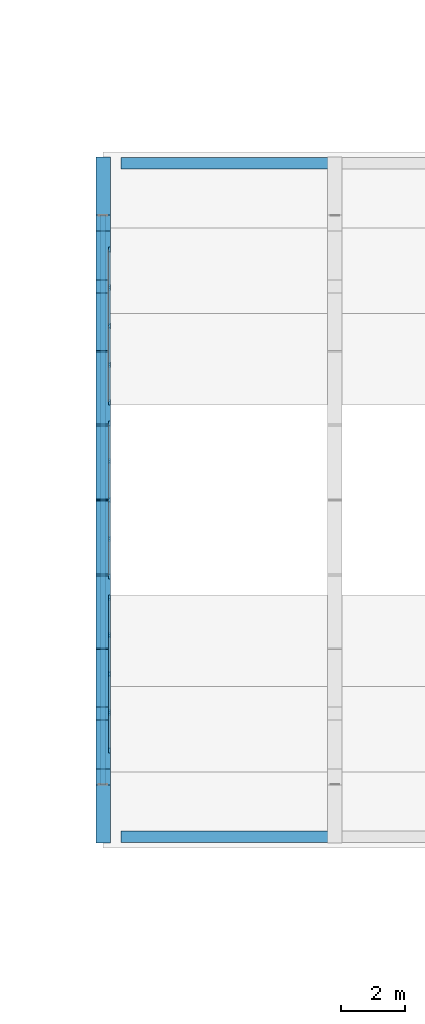
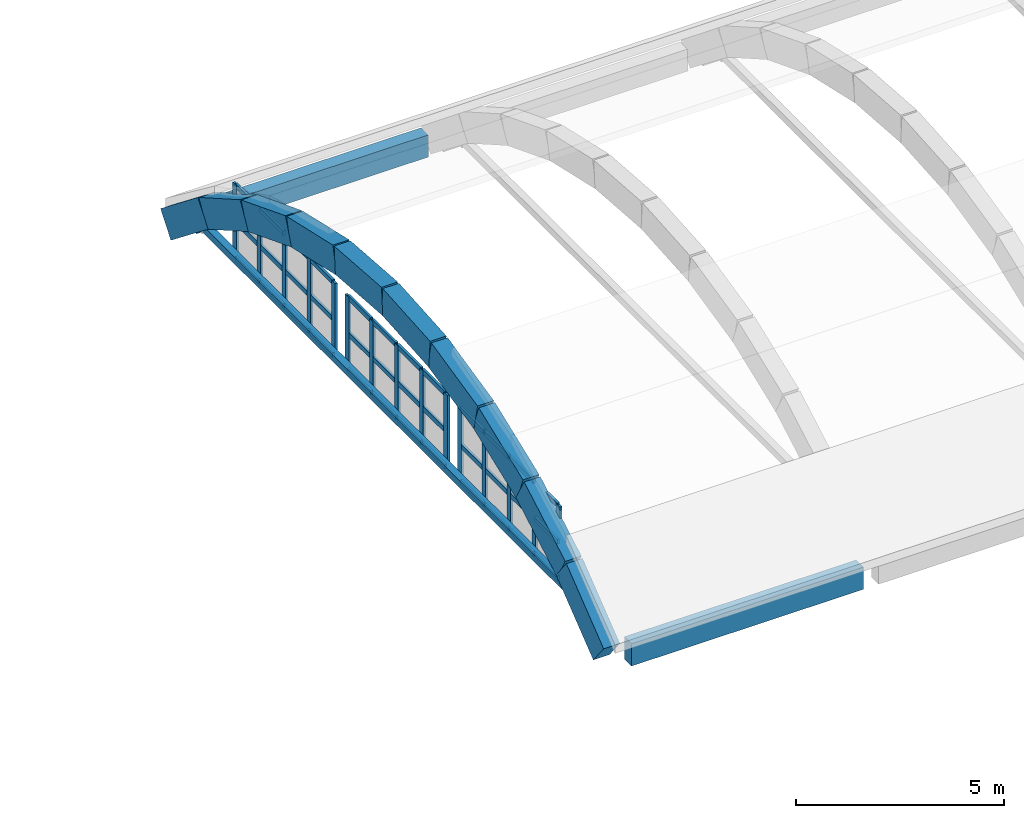
# One storey, part 12 of 73: 52 members, 12 beams, 3 elements without a shape of their own.
"""IFC4 building model written with IfcOpenShell, lengths in metres."""

from ifc_helpers import new_model, si_unit, derived_unit, direction, frame, origin, origin_2d, place, context, subcontext, project, spatial, rectangle, hollow_rectangle, extrude, material, layer, layer_set, material_profile, profile_set, type_object, element, aggregate, save


model = new_model("IFC4")

# Units and contexts
model_context = context("Model", 3, precision=1e-05, world=origin(), true_north=direction((0.0, 1.0)))
body_context = subcontext(model_context, "Body", "Model", "MODEL_VIEW")
ifc_project = project(units=[si_unit("LENGTHUNIT", "METRE"), si_unit("AREAUNIT", "SQUARE_METRE"), si_unit("VOLUMEUNIT", "CUBIC_METRE"), si_unit("PLANEANGLEUNIT", "RADIAN"), si_unit("MASSUNIT", "GRAM", prefix="KILO"), derived_unit("THERMALTRANSMITTANCEUNIT", [(si_unit("MASSUNIT", "GRAM", prefix="KILO"), 1), (si_unit("TIMEUNIT", "SECOND"), -3), (si_unit("THERMODYNAMICTEMPERATUREUNIT", "KELVIN"), -1)])], contexts=[model_context])

# Site, building, storey
site_placement = place(None, origin())
site = spatial("IfcSite", under=ifc_project, at=site_placement, CompositionType="ELEMENT")
building_placement = place(site_placement, origin())
building = spatial("IfcBuilding", under=site, at=building_placement, Name="Ochrekiln Boulevard Commons", CompositionType="ELEMENT")
storey_placement = place(building_placement, frame((0.0, 0.0, 8.574951171875)))
storey = spatial("IfcBuildingStorey", under=building, at=storey_placement, Name="L02", CompositionType="ELEMENT", Elevation=8.574951171875)

# Beams
ifc_material_1 = material(Name="Concrete C40/50", Category="concrete")
ifc_material_profile_1 = material_profile(ifc_material_1, rectangle(XDim=0.449951171875, YDim=0.800048828125, at=origin_2d()), Name="RC-RIB-450x800")
ifc_profile_set_1 = profile_set([ifc_material_profile_1], Name="Concrete C40/50")
beam_type_1 = type_object("IfcBeamType", Name="BM-RIB-450x800", PredefinedType="BEAM", material=ifc_profile_set_1)
beam_1_placement = place(storey_placement, frame((57.60009765625, 36.405517578125, -0.4423828125), z_axis=(0.0, 0.785288184657, 0.61913041198), x_axis=(-1.0, 0.0, 0.0)))
element("IfcBeam", 1, at=beam_1_placement, inside=storey, type_object=beam_type_1, Name="Community Hall Barrel Vault Arch Rib 1 Chord 1", PredefinedType="BEAM", context=body_context, shape_type="SweptSolid", body=[
    extrude(rectangle(XDim=0.449951171875, YDim=0.800048828125, at=origin_2d()), origin(), (0.0, 0.0, 1.0), 2.280517578125),
])
beam_2_placement = place(storey_placement, frame((57.60009765625, 38.1962890625, 0.969482421875), z_axis=(0.0, 0.868183838811, 0.496242704759), x_axis=(-1.0, 0.0, 0.0)))
element("IfcBeam", 2, at=beam_2_placement, inside=storey, type_object=beam_type_1, Name="Community Hall Barrel Vault Arch Rib 1 Chord 2", PredefinedType="BEAM", context=body_context, shape_type="SweptSolid", body=[
    extrude(rectangle(XDim=0.449951171875, YDim=0.800048828125, at=origin_2d()), origin(), (0.0, 0.0, 1.0), 2.2802734375),
])
for number, where, z_axis, x_axis, name in (
    (3, (57.60009765625, 40.176025390625, 2.10107421875), (0.0, 0.93199261694, 0.362477257174), (-1.0, 0.0, 0.0), "Community Hall Barrel Vault Arch Rib 1 Chord 3"),
    (4, (57.60009765625, 42.301513671875, 2.927734375), (0.0, 0.975333305686, 0.220737271027), (-1.0, 0.0, 0.0), "Community Hall Barrel Vault Arch Rib 1 Chord 4"),
    (5, (57.60009765625, 44.52587890625, 3.43115234375), (0.0, 0.997251957722, 0.074084632823), (-1.0, 0.0, 0.0), "Community Hall Barrel Vault Arch Rib 1 Chord 5"),
    (6, (57.60009765625, 46.800048828125, 3.60009765625), (0.0, 0.997251957722, -0.074084632823), (-1.0, 0.0, 0.0), "Community Hall Barrel Vault Arch Rib 1 Chord 6"),
    (7, (57.60009765625, 49.07421875, 3.43115234375), (0.0, 0.975333305686, -0.220737271027), (-1.0, 0.0, 0.0), "Community Hall Barrel Vault Arch Rib 1 Chord 7"),
):
    element("IfcBeam", number, at=place(storey_placement, frame(where, z_axis=z_axis, x_axis=x_axis)), inside=storey, type_object=beam_type_1, Name=name, PredefinedType="BEAM", context=body_context, shape_type="SweptSolid", body=[
        extrude(rectangle(XDim=0.449951171875, YDim=0.800048828125, at=origin_2d()), origin(), (0.0, 0.0, 1.0), 2.280517578125),
    ])
beam_3_placement = place(storey_placement, frame((57.60009765625, 51.298583984375, 2.927734375), z_axis=(0.0, 0.93197854933, -0.362513425391), x_axis=(-1.0, 0.0, 0.0)))
element("IfcBeam", 8, at=beam_3_placement, inside=storey, type_object=beam_type_1, Name="Community Hall Barrel Vault Arch Rib 1 Chord 8", PredefinedType="BEAM", context=body_context, shape_type="SweptSolid", body=[
    extrude(rectangle(XDim=0.449951171875, YDim=0.800048828125, at=origin_2d()), origin(), (0.0, 0.0, 1.0), 2.2802734375),
])
for number, where, z_axis, x_axis, name in (
    (9, (57.60009765625, 53.423828125, 2.10107421875), (0.0, 0.868210200433, -0.496196581875), (-1.0, 0.0, 0.0), "Community Hall Barrel Vault Arch Rib 1 Chord 9"),
    (10, (57.60009765625, 55.40380859375, 0.969482421875), (0.0, 0.785288184657, -0.61913041198), (-1.0, 0.0, 0.0), "Community Hall Barrel Vault Arch Rib 1 Chord 10"),
):
    element("IfcBeam", number, at=place(storey_placement, frame(where, z_axis=z_axis, x_axis=x_axis)), inside=storey, type_object=beam_type_1, Name=name, PredefinedType="BEAM", context=body_context, shape_type="SweptSolid", body=[
        extrude(rectangle(XDim=0.449951171875, YDim=0.800048828125, at=origin_2d()), origin(), (0.0, 0.0, 1.0), 2.280517578125),
    ])

# Curtain wall, members
ifc_material_2 = material(Name="Bronze-anodized extruded aluminium 6063-T6", Category="aluminium")
ifc_layer = layer(ifc_material_2, 0.196044921875)
ifc_layer_set = layer_set([ifc_layer], Name="Bronze-anodized extruded aluminium 6063-T6")
curtain_wall_type = type_object("IfcCurtainWallType", Name="CW-HALL", PredefinedType="USERDEFINED", material=ifc_layer_set)
curtain_wall_1_placement = place(storey_placement, origin())
curtain_wall_1 = element("IfcCurtainWall", 11, at=curtain_wall_1_placement, inside=storey, type_object=curtain_wall_type, Name="Community Hall Vault Tympanum Curtain Wall W-1", ObjectType="GLAZED CURTAIN WALL", PredefinedType="USERDEFINED")
ifc_material_profile_2 = material_profile(ifc_material_2, rectangle(XDim=0.06494140625, YDim=0.179931640625, at=origin_2d()), Name="ALU-MUL-65x180")
ifc_profile_set_2 = profile_set([ifc_material_profile_2], Name="Bronze-anodized extruded aluminium 6063-T6")
member_type_1 = type_object("IfcMemberType", Name="CWM-65x180", PredefinedType="MULLION", material=ifc_profile_set_2)
member_1_placement = place(storey_placement, frame((57.800048828125, 39.032470703125, 0.0), z_axis=(0.0, 0.0, 1.0), x_axis=(-1.0, 0.0, 0.0)))
member_1 = element("IfcMember", 12, at=member_1_placement, type_object=member_type_1, Name="CW-03 mullion 1", PredefinedType="MULLION", context=body_context, shape_type="SweptSolid", body=[
    extrude(rectangle(XDim=0.06494140625, YDim=0.179931640625, at=origin_2d()), origin(), (0.0, 0.0, 1.0), 2.199951171875),
])
member_2_placement = place(storey_placement, frame((57.800048828125, 40.199951171875, 0.0), z_axis=(0.0, 0.0, 1.0), x_axis=(-1.0, 0.0, 0.0)))
member_2 = element("IfcMember", 13, at=member_2_placement, type_object=member_type_1, Name="CW-03 mullion 2", PredefinedType="MULLION", context=body_context, shape_type="SweptSolid", body=[
    extrude(rectangle(XDim=0.06494140625, YDim=0.179931640625, at=origin_2d()), origin(), (0.0, 0.0, 1.0), 2.199951171875),
])
member_3_placement = place(storey_placement, frame((57.800048828125, 41.39990234375, 0.0), z_axis=(0.0, 0.0, 1.0), x_axis=(-1.0, 0.0, 0.0)))
member_3 = element("IfcMember", 14, at=member_3_placement, type_object=member_type_1, Name="CW-03 mullion 3", PredefinedType="MULLION", context=body_context, shape_type="SweptSolid", body=[
    extrude(rectangle(XDim=0.06494140625, YDim=0.179931640625, at=origin_2d()), origin(), (0.0, 0.0, 1.0), 2.199951171875),
])
member_4_placement = place(storey_placement, frame((57.800048828125, 42.60009765625, 0.0), z_axis=(0.0, 0.0, 1.0), x_axis=(-1.0, 0.0, 0.0)))
member_4 = element("IfcMember", 15, at=member_4_placement, type_object=member_type_1, Name="CW-03 mullion 4", PredefinedType="MULLION", context=body_context, shape_type="SweptSolid", body=[
    extrude(rectangle(XDim=0.06494140625, YDim=0.179931640625, at=origin_2d()), origin(), (0.0, 0.0, 1.0), 2.199951171875),
])
member_5_placement = place(storey_placement, frame((57.800048828125, 43.767578125, 0.0), z_axis=(0.0, 0.0, 1.0), x_axis=(-1.0, 0.0, 0.0)))
member_5 = element("IfcMember", 16, at=member_5_placement, type_object=member_type_1, Name="CW-03 mullion 5", PredefinedType="MULLION", context=body_context, shape_type="SweptSolid", body=[
    extrude(rectangle(XDim=0.06494140625, YDim=0.179931640625, at=origin_2d()), origin(), (0.0, 0.0, 1.0), 2.199951171875),
])

curtain_wall_2_placement = place(storey_placement, origin())
curtain_wall_2 = element("IfcCurtainWall", 17, at=curtain_wall_2_placement, inside=storey, type_object=curtain_wall_type, Name="Community Hall Vault Tympanum Curtain Wall W-2", ObjectType="GLAZED CURTAIN WALL", PredefinedType="USERDEFINED")
member_6_placement = place(storey_placement, frame((57.800048828125, 44.4326171875, 0.0), z_axis=(0.0, 0.0, 1.0), x_axis=(-1.0, 0.0, 0.0)))
member_6 = element("IfcMember", 18, at=member_6_placement, type_object=member_type_1, Name="CW-03 mullion 1", PredefinedType="MULLION", context=body_context, shape_type="SweptSolid", body=[
    extrude(rectangle(XDim=0.06494140625, YDim=0.179931640625, at=origin_2d()), origin(), (0.0, 0.0, 1.0), 2.199951171875),
])
member_7_placement = place(storey_placement, frame((57.800048828125, 45.60009765625, 0.0), z_axis=(0.0, 0.0, 1.0), x_axis=(-1.0, 0.0, 0.0)))
member_7 = element("IfcMember", 19, at=member_7_placement, type_object=member_type_1, Name="CW-03 mullion 2", PredefinedType="MULLION", context=body_context, shape_type="SweptSolid", body=[
    extrude(rectangle(XDim=0.06494140625, YDim=0.179931640625, at=origin_2d()), origin(), (0.0, 0.0, 1.0), 2.199951171875),
])
member_8_placement = place(storey_placement, frame((57.800048828125, 46.800048828125, 0.0), z_axis=(0.0, 0.0, 1.0), x_axis=(-1.0, 0.0, 0.0)))
member_8 = element("IfcMember", 20, at=member_8_placement, type_object=member_type_1, Name="CW-03 mullion 3", PredefinedType="MULLION", context=body_context, shape_type="SweptSolid", body=[
    extrude(rectangle(XDim=0.06494140625, YDim=0.179931640625, at=origin_2d()), origin(), (0.0, 0.0, 1.0), 2.199951171875),
])
member_9_placement = place(storey_placement, frame((57.800048828125, 48.0, 0.0), z_axis=(0.0, 0.0, 1.0), x_axis=(-1.0, 0.0, 0.0)))
member_9 = element("IfcMember", 21, at=member_9_placement, type_object=member_type_1, Name="CW-03 mullion 4", PredefinedType="MULLION", context=body_context, shape_type="SweptSolid", body=[
    extrude(rectangle(XDim=0.06494140625, YDim=0.179931640625, at=origin_2d()), origin(), (0.0, 0.0, 1.0), 2.199951171875),
])
member_10_placement = place(storey_placement, frame((57.800048828125, 49.16748046875, 0.0), z_axis=(0.0, 0.0, 1.0), x_axis=(-1.0, 0.0, 0.0)))
member_10 = element("IfcMember", 22, at=member_10_placement, type_object=member_type_1, Name="CW-03 mullion 5", PredefinedType="MULLION", context=body_context, shape_type="SweptSolid", body=[
    extrude(rectangle(XDim=0.06494140625, YDim=0.179931640625, at=origin_2d()), origin(), (0.0, 0.0, 1.0), 2.199951171875),
])

curtain_wall_3_placement = place(storey_placement, origin())
curtain_wall_3 = element("IfcCurtainWall", 23, at=curtain_wall_3_placement, inside=storey, type_object=curtain_wall_type, Name="Community Hall Vault Tympanum Curtain Wall W-3", ObjectType="GLAZED CURTAIN WALL", PredefinedType="USERDEFINED")
member_11_placement = place(storey_placement, frame((57.800048828125, 49.83251953125, 0.0), z_axis=(0.0, 0.0, 1.0), x_axis=(-1.0, 0.0, 0.0)))
member_11 = element("IfcMember", 24, at=member_11_placement, type_object=member_type_1, Name="CW-03 mullion 1", PredefinedType="MULLION", context=body_context, shape_type="SweptSolid", body=[
    extrude(rectangle(XDim=0.06494140625, YDim=0.179931640625, at=origin_2d()), origin(), (0.0, 0.0, 1.0), 2.199951171875),
])
member_12_placement = place(storey_placement, frame((57.800048828125, 51.0, 0.0), z_axis=(0.0, 0.0, 1.0), x_axis=(-1.0, 0.0, 0.0)))
member_12 = element("IfcMember", 25, at=member_12_placement, type_object=member_type_1, Name="CW-03 mullion 2", PredefinedType="MULLION", context=body_context, shape_type="SweptSolid", body=[
    extrude(rectangle(XDim=0.06494140625, YDim=0.179931640625, at=origin_2d()), origin(), (0.0, 0.0, 1.0), 2.199951171875),
])
member_13_placement = place(storey_placement, frame((57.800048828125, 52.199951171875, 0.0), z_axis=(0.0, 0.0, 1.0), x_axis=(-1.0, 0.0, 0.0)))
member_13 = element("IfcMember", 26, at=member_13_placement, type_object=member_type_1, Name="CW-03 mullion 3", PredefinedType="MULLION", context=body_context, shape_type="SweptSolid", body=[
    extrude(rectangle(XDim=0.06494140625, YDim=0.179931640625, at=origin_2d()), origin(), (0.0, 0.0, 1.0), 2.199951171875),
])
member_14_placement = place(storey_placement, frame((57.800048828125, 53.39990234375, 0.0), z_axis=(0.0, 0.0, 1.0), x_axis=(-1.0, 0.0, 0.0)))
member_14 = element("IfcMember", 27, at=member_14_placement, type_object=member_type_1, Name="CW-03 mullion 4", PredefinedType="MULLION", context=body_context, shape_type="SweptSolid", body=[
    extrude(rectangle(XDim=0.06494140625, YDim=0.179931640625, at=origin_2d()), origin(), (0.0, 0.0, 1.0), 2.199951171875),
])
member_15_placement = place(storey_placement, frame((57.800048828125, 54.5673828125, 0.0), z_axis=(0.0, 0.0, 1.0), x_axis=(-1.0, 0.0, 0.0)))
member_15 = element("IfcMember", 28, at=member_15_placement, type_object=member_type_1, Name="CW-03 mullion 5", PredefinedType="MULLION", context=body_context, shape_type="SweptSolid", body=[
    extrude(rectangle(XDim=0.06494140625, YDim=0.179931640625, at=origin_2d()), origin(), (0.0, 0.0, 1.0), 2.199951171875),
])

# Member
ifc_material_profile_3 = material_profile(ifc_material_2, rectangle(XDim=0.06494140625, YDim=0.139892578125, at=origin_2d()), Name="ALU-TRN-65x140")
ifc_profile_set_3 = profile_set([ifc_material_profile_3], Name="Bronze-anodized extruded aluminium 6063-T6")
member_type_2 = type_object("IfcMemberType", Name="CWT-65x140", PredefinedType="USERDEFINED", material=ifc_profile_set_3)
member_16_placement = place(storey_placement, frame((57.800048828125, 39.06494140625, 0.032470703125), z_axis=(0.0, 1.0, 0.0), x_axis=(-1.0, 0.0, 0.0)))
member_16 = element("IfcMember", 29, at=member_16_placement, type_object=member_type_2, Name="CW-03 transom 1.1", ObjectType="TRANSOM", PredefinedType="USERDEFINED", context=body_context, shape_type="SweptSolid", body=[
    extrude(rectangle(XDim=0.06494140625, YDim=0.139892578125, at=origin_2d()), origin(), (0.0, 0.0, 1.0), 1.1025390625),
])

member_17_placement = place(storey_placement, frame((57.800048828125, 39.06494140625, 1.10009765625), z_axis=(0.0, 1.0, 0.0), x_axis=(-1.0, 0.0, 0.0)))
member_17 = element("IfcMember", 30, at=member_17_placement, type_object=member_type_2, Name="CW-03 transom 1.2", ObjectType="TRANSOM", PredefinedType="USERDEFINED", context=body_context, shape_type="SweptSolid", body=[
    extrude(rectangle(XDim=0.06494140625, YDim=0.139892578125, at=origin_2d()), origin(), (0.0, 0.0, 1.0), 1.1025390625),
])

member_18_placement = place(storey_placement, frame((57.800048828125, 39.06494140625, 2.16748046875), z_axis=(0.0, 1.0, 0.0), x_axis=(-1.0, 0.0, 0.0)))
member_18 = element("IfcMember", 31, at=member_18_placement, type_object=member_type_2, Name="CW-03 transom 1.3", ObjectType="TRANSOM", PredefinedType="USERDEFINED", context=body_context, shape_type="SweptSolid", body=[
    extrude(rectangle(XDim=0.06494140625, YDim=0.139892578125, at=origin_2d()), origin(), (0.0, 0.0, 1.0), 1.1025390625),
])

member_19_placement = place(storey_placement, frame((57.800048828125, 40.232421875, 0.032470703125), z_axis=(0.0, 1.0, 0.0), x_axis=(-1.0, 0.0, 0.0)))
member_19 = element("IfcMember", 32, at=member_19_placement, type_object=member_type_2, Name="CW-03 transom 2.1", ObjectType="TRANSOM", PredefinedType="USERDEFINED", context=body_context, shape_type="SweptSolid", body=[
    extrude(rectangle(XDim=0.06494140625, YDim=0.139892578125, at=origin_2d()), origin(), (0.0, 0.0, 1.0), 1.135009765625),
])

member_20_placement = place(storey_placement, frame((57.800048828125, 40.232421875, 1.10009765625), z_axis=(0.0, 1.0, 0.0), x_axis=(-1.0, 0.0, 0.0)))
member_20 = element("IfcMember", 33, at=member_20_placement, type_object=member_type_2, Name="CW-03 transom 2.2", ObjectType="TRANSOM", PredefinedType="USERDEFINED", context=body_context, shape_type="SweptSolid", body=[
    extrude(rectangle(XDim=0.06494140625, YDim=0.139892578125, at=origin_2d()), origin(), (0.0, 0.0, 1.0), 1.135009765625),
])

member_21_placement = place(storey_placement, frame((57.800048828125, 40.232421875, 2.16748046875), z_axis=(0.0, 1.0, 0.0), x_axis=(-1.0, 0.0, 0.0)))
member_21 = element("IfcMember", 34, at=member_21_placement, type_object=member_type_2, Name="CW-03 transom 2.3", ObjectType="TRANSOM", PredefinedType="USERDEFINED", context=body_context, shape_type="SweptSolid", body=[
    extrude(rectangle(XDim=0.06494140625, YDim=0.139892578125, at=origin_2d()), origin(), (0.0, 0.0, 1.0), 1.135009765625),
])

member_22_placement = place(storey_placement, frame((57.800048828125, 41.4326171875, 0.032470703125), z_axis=(0.0, 1.0, 0.0), x_axis=(-1.0, 0.0, 0.0)))
member_22 = element("IfcMember", 35, at=member_22_placement, type_object=member_type_2, Name="CW-03 transom 3.1", ObjectType="TRANSOM", PredefinedType="USERDEFINED", context=body_context, shape_type="SweptSolid", body=[
    extrude(rectangle(XDim=0.06494140625, YDim=0.139892578125, at=origin_2d()), origin(), (0.0, 0.0, 1.0), 1.134765625),
])

member_23_placement = place(storey_placement, frame((57.800048828125, 41.4326171875, 1.10009765625), z_axis=(0.0, 1.0, 0.0), x_axis=(-1.0, 0.0, 0.0)))
member_23 = element("IfcMember", 36, at=member_23_placement, type_object=member_type_2, Name="CW-03 transom 3.2", ObjectType="TRANSOM", PredefinedType="USERDEFINED", context=body_context, shape_type="SweptSolid", body=[
    extrude(rectangle(XDim=0.06494140625, YDim=0.139892578125, at=origin_2d()), origin(), (0.0, 0.0, 1.0), 1.134765625),
])

member_24_placement = place(storey_placement, frame((57.800048828125, 41.4326171875, 2.16748046875), z_axis=(0.0, 1.0, 0.0), x_axis=(-1.0, 0.0, 0.0)))
member_24 = element("IfcMember", 37, at=member_24_placement, type_object=member_type_2, Name="CW-03 transom 3.3", ObjectType="TRANSOM", PredefinedType="USERDEFINED", context=body_context, shape_type="SweptSolid", body=[
    extrude(rectangle(XDim=0.06494140625, YDim=0.139892578125, at=origin_2d()), origin(), (0.0, 0.0, 1.0), 1.134765625),
])

member_25_placement = place(storey_placement, frame((57.800048828125, 42.632568359375, 0.032470703125), z_axis=(0.0, 1.0, 0.0), x_axis=(-1.0, 0.0, 0.0)))
member_25 = element("IfcMember", 38, at=member_25_placement, type_object=member_type_2, Name="CW-03 transom 4.1", ObjectType="TRANSOM", PredefinedType="USERDEFINED", context=body_context, shape_type="SweptSolid", body=[
    extrude(rectangle(XDim=0.06494140625, YDim=0.139892578125, at=origin_2d()), origin(), (0.0, 0.0, 1.0), 1.1025390625),
])

member_26_placement = place(storey_placement, frame((57.800048828125, 42.632568359375, 1.10009765625), z_axis=(0.0, 1.0, 0.0), x_axis=(-1.0, 0.0, 0.0)))
member_26 = element("IfcMember", 39, at=member_26_placement, type_object=member_type_2, Name="CW-03 transom 4.2", ObjectType="TRANSOM", PredefinedType="USERDEFINED", context=body_context, shape_type="SweptSolid", body=[
    extrude(rectangle(XDim=0.06494140625, YDim=0.139892578125, at=origin_2d()), origin(), (0.0, 0.0, 1.0), 1.1025390625),
])

member_27_placement = place(storey_placement, frame((57.800048828125, 42.632568359375, 2.16748046875), z_axis=(0.0, 1.0, 0.0), x_axis=(-1.0, 0.0, 0.0)))
member_27 = element("IfcMember", 40, at=member_27_placement, type_object=member_type_2, Name="CW-03 transom 4.3", ObjectType="TRANSOM", PredefinedType="USERDEFINED", context=body_context, shape_type="SweptSolid", body=[
    extrude(rectangle(XDim=0.06494140625, YDim=0.139892578125, at=origin_2d()), origin(), (0.0, 0.0, 1.0), 1.1025390625),
])

aggregate(curtain_wall_1, [member_1, member_2, member_3, member_4, member_5, member_16, member_17, member_18, member_19, member_20, member_21, member_22, member_23, member_24, member_25, member_26, member_27])

member_28_placement = place(storey_placement, frame((57.800048828125, 44.465087890625, 0.032470703125), z_axis=(0.0, 1.0, 0.0), x_axis=(-1.0, 0.0, 0.0)))
member_28 = element("IfcMember", 41, at=member_28_placement, type_object=member_type_2, Name="CW-03 transom 1.1", ObjectType="TRANSOM", PredefinedType="USERDEFINED", context=body_context, shape_type="SweptSolid", body=[
    extrude(rectangle(XDim=0.06494140625, YDim=0.139892578125, at=origin_2d()), origin(), (0.0, 0.0, 1.0), 1.102294921875),
])

member_29_placement = place(storey_placement, frame((57.800048828125, 44.465087890625, 1.10009765625), z_axis=(0.0, 1.0, 0.0), x_axis=(-1.0, 0.0, 0.0)))
member_29 = element("IfcMember", 42, at=member_29_placement, type_object=member_type_2, Name="CW-03 transom 1.2", ObjectType="TRANSOM", PredefinedType="USERDEFINED", context=body_context, shape_type="SweptSolid", body=[
    extrude(rectangle(XDim=0.06494140625, YDim=0.139892578125, at=origin_2d()), origin(), (0.0, 0.0, 1.0), 1.102294921875),
])

member_30_placement = place(storey_placement, frame((57.800048828125, 44.465087890625, 2.16748046875), z_axis=(0.0, 1.0, 0.0), x_axis=(-1.0, 0.0, 0.0)))
member_30 = element("IfcMember", 43, at=member_30_placement, type_object=member_type_2, Name="CW-03 transom 1.3", ObjectType="TRANSOM", PredefinedType="USERDEFINED", context=body_context, shape_type="SweptSolid", body=[
    extrude(rectangle(XDim=0.06494140625, YDim=0.139892578125, at=origin_2d()), origin(), (0.0, 0.0, 1.0), 1.102294921875),
])

member_31_placement = place(storey_placement, frame((57.800048828125, 45.632568359375, 0.032470703125), z_axis=(0.0, 1.0, 0.0), x_axis=(-1.0, 0.0, 0.0)))
member_31 = element("IfcMember", 44, at=member_31_placement, type_object=member_type_2, Name="CW-03 transom 2.1", ObjectType="TRANSOM", PredefinedType="USERDEFINED", context=body_context, shape_type="SweptSolid", body=[
    extrude(rectangle(XDim=0.06494140625, YDim=0.139892578125, at=origin_2d()), origin(), (0.0, 0.0, 1.0), 1.135009765625),
])

member_32_placement = place(storey_placement, frame((57.800048828125, 45.632568359375, 1.10009765625), z_axis=(0.0, 1.0, 0.0), x_axis=(-1.0, 0.0, 0.0)))
member_32 = element("IfcMember", 45, at=member_32_placement, type_object=member_type_2, Name="CW-03 transom 2.2", ObjectType="TRANSOM", PredefinedType="USERDEFINED", context=body_context, shape_type="SweptSolid", body=[
    extrude(rectangle(XDim=0.06494140625, YDim=0.139892578125, at=origin_2d()), origin(), (0.0, 0.0, 1.0), 1.135009765625),
])

member_33_placement = place(storey_placement, frame((57.800048828125, 45.632568359375, 2.16748046875), z_axis=(0.0, 1.0, 0.0), x_axis=(-1.0, 0.0, 0.0)))
member_33 = element("IfcMember", 46, at=member_33_placement, type_object=member_type_2, Name="CW-03 transom 2.3", ObjectType="TRANSOM", PredefinedType="USERDEFINED", context=body_context, shape_type="SweptSolid", body=[
    extrude(rectangle(XDim=0.06494140625, YDim=0.139892578125, at=origin_2d()), origin(), (0.0, 0.0, 1.0), 1.135009765625),
])

member_34_placement = place(storey_placement, frame((57.800048828125, 46.83251953125, 0.032470703125), z_axis=(0.0, 1.0, 0.0), x_axis=(-1.0, 0.0, 0.0)))
member_34 = element("IfcMember", 47, at=member_34_placement, type_object=member_type_2, Name="CW-03 transom 3.1", ObjectType="TRANSOM", PredefinedType="USERDEFINED", context=body_context, shape_type="SweptSolid", body=[
    extrude(rectangle(XDim=0.06494140625, YDim=0.139892578125, at=origin_2d()), origin(), (0.0, 0.0, 1.0), 1.135009765625),
])

member_35_placement = place(storey_placement, frame((57.800048828125, 46.83251953125, 1.10009765625), z_axis=(0.0, 1.0, 0.0), x_axis=(-1.0, 0.0, 0.0)))
member_35 = element("IfcMember", 48, at=member_35_placement, type_object=member_type_2, Name="CW-03 transom 3.2", ObjectType="TRANSOM", PredefinedType="USERDEFINED", context=body_context, shape_type="SweptSolid", body=[
    extrude(rectangle(XDim=0.06494140625, YDim=0.139892578125, at=origin_2d()), origin(), (0.0, 0.0, 1.0), 1.135009765625),
])

member_36_placement = place(storey_placement, frame((57.800048828125, 46.83251953125, 2.16748046875), z_axis=(0.0, 1.0, 0.0), x_axis=(-1.0, 0.0, 0.0)))
member_36 = element("IfcMember", 49, at=member_36_placement, type_object=member_type_2, Name="CW-03 transom 3.3", ObjectType="TRANSOM", PredefinedType="USERDEFINED", context=body_context, shape_type="SweptSolid", body=[
    extrude(rectangle(XDim=0.06494140625, YDim=0.139892578125, at=origin_2d()), origin(), (0.0, 0.0, 1.0), 1.135009765625),
])

member_37_placement = place(storey_placement, frame((57.800048828125, 48.032470703125, 0.032470703125), z_axis=(0.0, 1.0, 0.0), x_axis=(-1.0, 0.0, 0.0)))
member_37 = element("IfcMember", 50, at=member_37_placement, type_object=member_type_2, Name="CW-03 transom 4.1", ObjectType="TRANSOM", PredefinedType="USERDEFINED", context=body_context, shape_type="SweptSolid", body=[
    extrude(rectangle(XDim=0.06494140625, YDim=0.139892578125, at=origin_2d()), origin(), (0.0, 0.0, 1.0), 1.1025390625),
])

member_38_placement = place(storey_placement, frame((57.800048828125, 48.032470703125, 1.10009765625), z_axis=(0.0, 1.0, 0.0), x_axis=(-1.0, 0.0, 0.0)))
member_38 = element("IfcMember", 51, at=member_38_placement, type_object=member_type_2, Name="CW-03 transom 4.2", ObjectType="TRANSOM", PredefinedType="USERDEFINED", context=body_context, shape_type="SweptSolid", body=[
    extrude(rectangle(XDim=0.06494140625, YDim=0.139892578125, at=origin_2d()), origin(), (0.0, 0.0, 1.0), 1.1025390625),
])

member_39_placement = place(storey_placement, frame((57.800048828125, 48.032470703125, 2.16748046875), z_axis=(0.0, 1.0, 0.0), x_axis=(-1.0, 0.0, 0.0)))
member_39 = element("IfcMember", 52, at=member_39_placement, type_object=member_type_2, Name="CW-03 transom 4.3", ObjectType="TRANSOM", PredefinedType="USERDEFINED", context=body_context, shape_type="SweptSolid", body=[
    extrude(rectangle(XDim=0.06494140625, YDim=0.139892578125, at=origin_2d()), origin(), (0.0, 0.0, 1.0), 1.1025390625),
])

aggregate(curtain_wall_2, [member_6, member_7, member_8, member_9, member_10, member_28, member_29, member_30, member_31, member_32, member_33, member_34, member_35, member_36, member_37, member_38, member_39])

member_40_placement = place(storey_placement, frame((57.800048828125, 49.864990234375, 0.032470703125), z_axis=(0.0, 1.0, 0.0), x_axis=(-1.0, 0.0, 0.0)))
member_40 = element("IfcMember", 53, at=member_40_placement, type_object=member_type_2, Name="CW-03 transom 1.1", ObjectType="TRANSOM", PredefinedType="USERDEFINED", context=body_context, shape_type="SweptSolid", body=[
    extrude(rectangle(XDim=0.06494140625, YDim=0.139892578125, at=origin_2d()), origin(), (0.0, 0.0, 1.0), 1.1025390625),
])

member_41_placement = place(storey_placement, frame((57.800048828125, 49.864990234375, 1.10009765625), z_axis=(0.0, 1.0, 0.0), x_axis=(-1.0, 0.0, 0.0)))
member_41 = element("IfcMember", 54, at=member_41_placement, type_object=member_type_2, Name="CW-03 transom 1.2", ObjectType="TRANSOM", PredefinedType="USERDEFINED", context=body_context, shape_type="SweptSolid", body=[
    extrude(rectangle(XDim=0.06494140625, YDim=0.139892578125, at=origin_2d()), origin(), (0.0, 0.0, 1.0), 1.1025390625),
])

member_42_placement = place(storey_placement, frame((57.800048828125, 49.864990234375, 2.16748046875), z_axis=(0.0, 1.0, 0.0), x_axis=(-1.0, 0.0, 0.0)))
member_42 = element("IfcMember", 55, at=member_42_placement, type_object=member_type_2, Name="CW-03 transom 1.3", ObjectType="TRANSOM", PredefinedType="USERDEFINED", context=body_context, shape_type="SweptSolid", body=[
    extrude(rectangle(XDim=0.06494140625, YDim=0.139892578125, at=origin_2d()), origin(), (0.0, 0.0, 1.0), 1.1025390625),
])

member_43_placement = place(storey_placement, frame((57.800048828125, 51.032470703125, 0.032470703125), z_axis=(0.0, 1.0, 0.0), x_axis=(-1.0, 0.0, 0.0)))
member_43 = element("IfcMember", 56, at=member_43_placement, type_object=member_type_2, Name="CW-03 transom 2.1", ObjectType="TRANSOM", PredefinedType="USERDEFINED", context=body_context, shape_type="SweptSolid", body=[
    extrude(rectangle(XDim=0.06494140625, YDim=0.139892578125, at=origin_2d()), origin(), (0.0, 0.0, 1.0), 1.135009765625),
])

member_44_placement = place(storey_placement, frame((57.800048828125, 51.032470703125, 1.10009765625), z_axis=(0.0, 1.0, 0.0), x_axis=(-1.0, 0.0, 0.0)))
member_44 = element("IfcMember", 57, at=member_44_placement, type_object=member_type_2, Name="CW-03 transom 2.2", ObjectType="TRANSOM", PredefinedType="USERDEFINED", context=body_context, shape_type="SweptSolid", body=[
    extrude(rectangle(XDim=0.06494140625, YDim=0.139892578125, at=origin_2d()), origin(), (0.0, 0.0, 1.0), 1.135009765625),
])

member_45_placement = place(storey_placement, frame((57.800048828125, 51.032470703125, 2.16748046875), z_axis=(0.0, 1.0, 0.0), x_axis=(-1.0, 0.0, 0.0)))
member_45 = element("IfcMember", 58, at=member_45_placement, type_object=member_type_2, Name="CW-03 transom 2.3", ObjectType="TRANSOM", PredefinedType="USERDEFINED", context=body_context, shape_type="SweptSolid", body=[
    extrude(rectangle(XDim=0.06494140625, YDim=0.139892578125, at=origin_2d()), origin(), (0.0, 0.0, 1.0), 1.135009765625),
])

member_46_placement = place(storey_placement, frame((57.800048828125, 52.232421875, 0.032470703125), z_axis=(0.0, 1.0, 0.0), x_axis=(-1.0, 0.0, 0.0)))
member_46 = element("IfcMember", 59, at=member_46_placement, type_object=member_type_2, Name="CW-03 transom 3.1", ObjectType="TRANSOM", PredefinedType="USERDEFINED", context=body_context, shape_type="SweptSolid", body=[
    extrude(rectangle(XDim=0.06494140625, YDim=0.139892578125, at=origin_2d()), origin(), (0.0, 0.0, 1.0), 1.135009765625),
])

member_47_placement = place(storey_placement, frame((57.800048828125, 52.232421875, 1.10009765625), z_axis=(0.0, 1.0, 0.0), x_axis=(-1.0, 0.0, 0.0)))
member_47 = element("IfcMember", 60, at=member_47_placement, type_object=member_type_2, Name="CW-03 transom 3.2", ObjectType="TRANSOM", PredefinedType="USERDEFINED", context=body_context, shape_type="SweptSolid", body=[
    extrude(rectangle(XDim=0.06494140625, YDim=0.139892578125, at=origin_2d()), origin(), (0.0, 0.0, 1.0), 1.135009765625),
])

member_48_placement = place(storey_placement, frame((57.800048828125, 52.232421875, 2.16748046875), z_axis=(0.0, 1.0, 0.0), x_axis=(-1.0, 0.0, 0.0)))
member_48 = element("IfcMember", 61, at=member_48_placement, type_object=member_type_2, Name="CW-03 transom 3.3", ObjectType="TRANSOM", PredefinedType="USERDEFINED", context=body_context, shape_type="SweptSolid", body=[
    extrude(rectangle(XDim=0.06494140625, YDim=0.139892578125, at=origin_2d()), origin(), (0.0, 0.0, 1.0), 1.135009765625),
])

member_49_placement = place(storey_placement, frame((57.800048828125, 53.4326171875, 0.032470703125), z_axis=(0.0, 1.0, 0.0), x_axis=(-1.0, 0.0, 0.0)))
member_49 = element("IfcMember", 62, at=member_49_placement, type_object=member_type_2, Name="CW-03 transom 4.1", ObjectType="TRANSOM", PredefinedType="USERDEFINED", context=body_context, shape_type="SweptSolid", body=[
    extrude(rectangle(XDim=0.06494140625, YDim=0.139892578125, at=origin_2d()), origin(), (0.0, 0.0, 1.0), 1.102294921875),
])

member_50_placement = place(storey_placement, frame((57.800048828125, 53.4326171875, 1.10009765625), z_axis=(0.0, 1.0, 0.0), x_axis=(-1.0, 0.0, 0.0)))
member_50 = element("IfcMember", 63, at=member_50_placement, type_object=member_type_2, Name="CW-03 transom 4.2", ObjectType="TRANSOM", PredefinedType="USERDEFINED", context=body_context, shape_type="SweptSolid", body=[
    extrude(rectangle(XDim=0.06494140625, YDim=0.139892578125, at=origin_2d()), origin(), (0.0, 0.0, 1.0), 1.102294921875),
])

member_51_placement = place(storey_placement, frame((57.800048828125, 53.4326171875, 2.16748046875), z_axis=(0.0, 1.0, 0.0), x_axis=(-1.0, 0.0, 0.0)))
member_51 = element("IfcMember", 64, at=member_51_placement, type_object=member_type_2, Name="CW-03 transom 4.3", ObjectType="TRANSOM", PredefinedType="USERDEFINED", context=body_context, shape_type="SweptSolid", body=[
    extrude(rectangle(XDim=0.06494140625, YDim=0.139892578125, at=origin_2d()), origin(), (0.0, 0.0, 1.0), 1.102294921875),
])

aggregate(curtain_wall_3, [member_11, member_12, member_13, member_14, member_15, member_40, member_41, member_42, member_43, member_44, member_45, member_46, member_47, member_48, member_49, member_50, member_51])

ifc_material_3 = material(Name="Steel A500 Grade C", Category="steel")
ifc_material_profile_4 = material_profile(ifc_material_3, hollow_rectangle(XDim=0.199951171875, YDim=0.199951171875, WallThickness=0.012451171875, at=origin_2d()), Name="HSS200X200X12.5")
ifc_profile_set_4 = profile_set([ifc_material_profile_4], Name="Steel A500 Grade C")
member_type_3 = type_object("IfcMemberType", Name="MEM-TIE-HSS200", PredefinedType="CHORD", material=ifc_profile_set_4)
member_52_placement = place(storey_placement, frame((57.60009765625, 37.9599609375, 0.324951171875), z_axis=(0.0, 1.0, 0.0), x_axis=(-1.0, 0.0, 0.0)))
element("IfcMember", 65, at=member_52_placement, inside=storey, type_object=member_type_3, Name="Community Hall Barrel Vault Horizontal Tie Rod 1", PredefinedType="CHORD", context=body_context, shape_type="SweptSolid", body=[
    extrude(hollow_rectangle(XDim=0.199951171875, YDim=0.199951171875, WallThickness=0.012451171875, at=origin_2d()), origin(), (0.0, 0.0, 1.0), 17.679931640625),
])

# Beams
ifc_material_profile_5 = material_profile(ifc_material_1, rectangle(XDim=0.35009765625, YDim=0.64990234375, at=origin_2d()), Name="RC-SPN-350x650")
ifc_profile_set_5 = profile_set([ifc_material_profile_5], Name="Concrete C40/50")
beam_type_2 = type_object("IfcBeamType", Name="SPN-RC-350x650", PredefinedType="SPANDREL", material=ifc_profile_set_5)
for number, where, z_axis, x_axis, name in (
    (66, (58.159912109375, 36.35009765625, -0.594970703125), (1.0, 0.0, 0.0), (0.0, 1.0, 0.0), "Community Hall L02 Beam SP-3565 X1"),
    (67, (58.159912109375, 57.25, -0.594970703125), (1.0, 0.0, 0.0), (0.0, 1.0, 0.0), "Community Hall L02 Beam SP-3565 X8"),
):
    element("IfcBeam", number, at=place(storey_placement, frame(where, z_axis=z_axis, x_axis=x_axis)), inside=storey, type_object=beam_type_2, Name=name, PredefinedType="SPANDREL", context=body_context, shape_type="SweptSolid", body=[
        extrude(rectangle(XDim=0.35009765625, YDim=0.64990234375, at=origin_2d()), origin(), (0.0, 0.0, 1.0), 6.43017578125),
    ])

save(model, "model.ifc")
